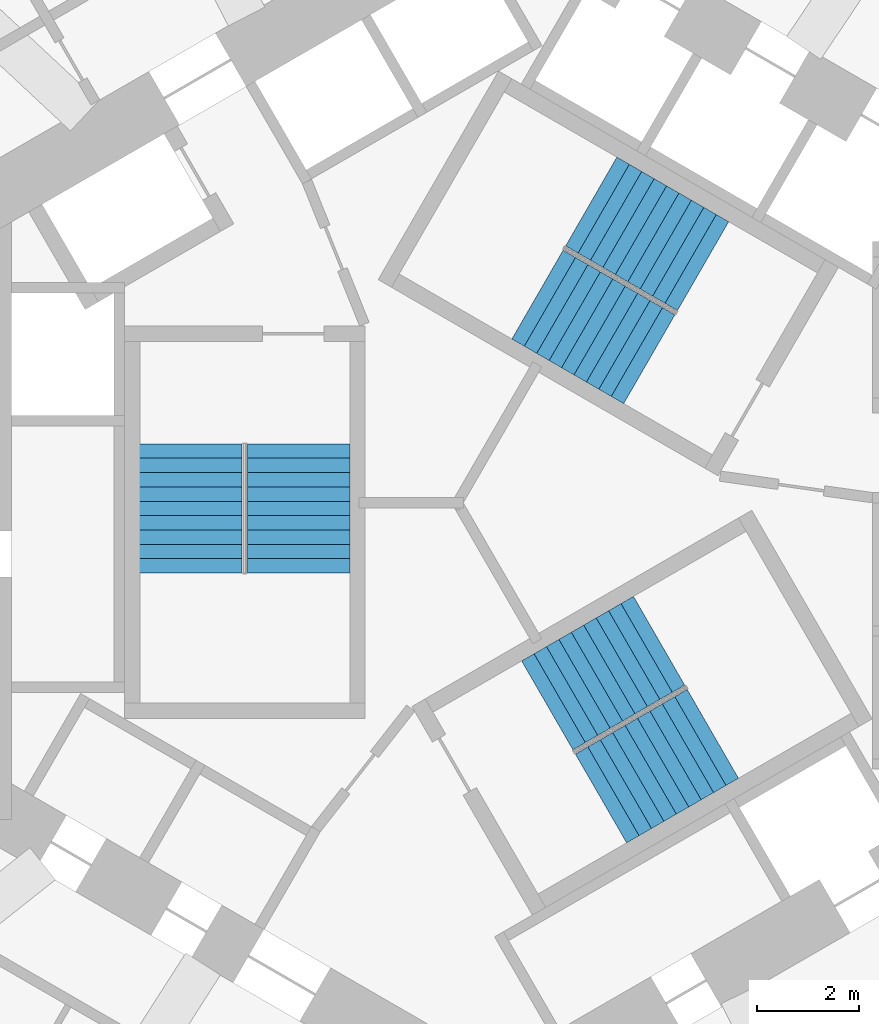
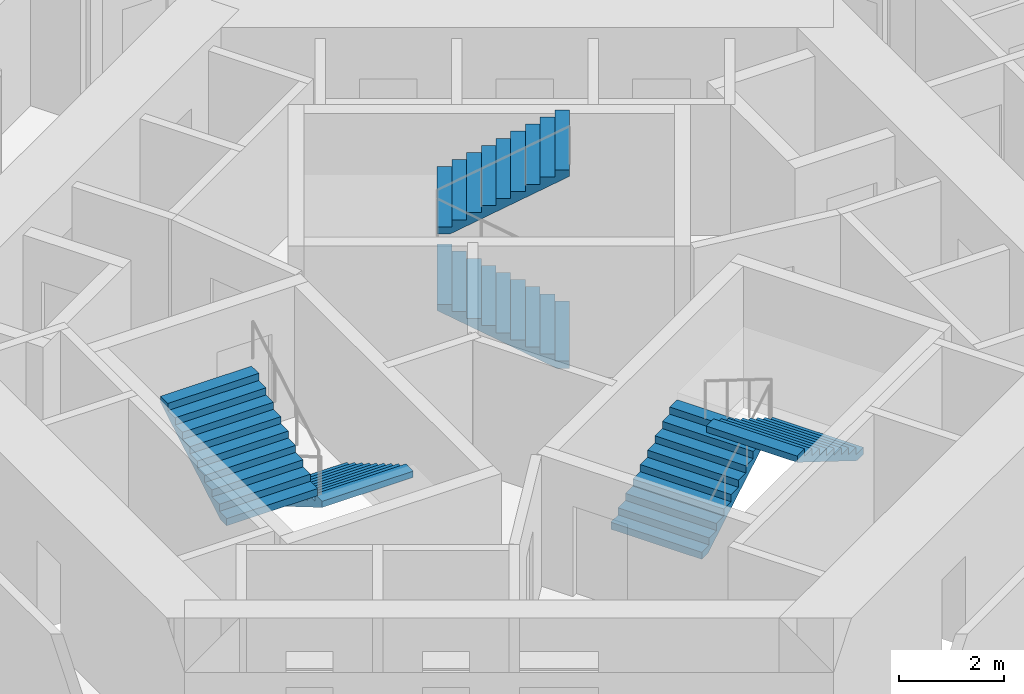
# One storey, part 10 of 12: 6 stair flights, 3 elements without a shape of their own.
"""IFC4 building model written with IfcOpenShell, lengths in metres."""

from ifc_helpers import new_model, si_unit, direction, frame, origin, place, context, subcontext, project, spatial, triangles, source, transform, mapped, material, type_object, element, aggregate, save


model = new_model("IFC4")

# Units and contexts
model_context = context("Model", 3, precision=1e-05, world=origin(), true_north=direction((0.0, 1.0)))
body_context = subcontext(model_context, "Body", "Model", "MODEL_VIEW")
ifc_project = project(units=[si_unit("LENGTHUNIT", "METRE"), si_unit("AREAUNIT", "SQUARE_METRE"), si_unit("VOLUMEUNIT", "CUBIC_METRE"), si_unit("PLANEANGLEUNIT", "RADIAN"), si_unit("MASSUNIT", "GRAM", prefix="KILO")], contexts=[model_context])

# Site, building, storey
site_placement = place(None, origin())
site = spatial("IfcSite", under=ifc_project, at=site_placement, CompositionType="ELEMENT")
building_placement = place(site_placement, origin())
building = spatial("IfcBuilding", under=site, at=building_placement, Name="Vanh Sen Convention Tower", CompositionType="ELEMENT")
storey_placement = place(building_placement, frame((0.0, 0.0, 106.699951171875)))
storey = spatial("IfcBuildingStorey", under=building, at=storey_placement, Name="L25", CompositionType="ELEMENT", Elevation=106.699951171875)

# Stair, stair flights
ifc_material_1 = material(Name="Concrete C50/60", Category="concrete")
stair_type_1 = type_object("IfcStairType", Name="Exit stair ST1 20 risers at 165.0", PredefinedType="HALF_TURN_STAIR", material=ifc_material_1)
stair_1_placement = place(storey_placement, origin())
stair_1 = element("IfcStair", 1, at=stair_1_placement, inside=storey, type_object=stair_type_1, Name="Exit stair ST1 L25", PredefinedType="HALF_TURN_STAIR")
ifc_material_2 = material(Name="Concrete C40/50", Category="concrete")
stair_flight_type = type_object("IfcStairFlightType", Name="Stair flight 2000", PredefinedType="STRAIGHT", material=ifc_material_2)
shared_shape = source(origin(), body_context, "Body", "Tessellation", [
    triangles([(0.24609375, 1.0, 0.0), (0.0, 1.0, 0.0), (0.0, 1.0, 0.1650390625), (0.280029296875, 1.0, 0.1650390625), (0.280029296875, 1.0, 0.330078125), (0.56005859375, 1.0, 0.330078125), (0.56005859375, 1.0, 0.4951171875), (0.840087890625, 1.0, 0.4951171875), (0.840087890625, 1.0, 0.659912109375), (1.1201171875, 1.0, 0.659912109375), (1.1201171875, 1.0, 0.824951171875), (1.39990234375, 1.0, 0.824951171875), (1.39990234375, 1.0, 0.989990234375), (1.679931640625, 1.0, 0.989990234375), (1.679931640625, 1.0, 1.155029296875), (1.9599609375, 1.0, 1.155029296875), (1.9599609375, 1.0, 1.320068359375), (2.239990234375, 1.0, 1.320068359375), (2.239990234375, 1.0, 1.485107421875), (2.52001953125, 1.0, 1.485107421875), (2.52001953125, 1.0, 1.33984375), (0.24609375, -1.0, 0.0), (0.0, -1.0, 0.0), (0.0, -1.0, 0.1650390625), (0.280029296875, -1.0, 0.1650390625), (0.280029296875, -1.0, 0.330078125), (0.56005859375, -1.0, 0.330078125), (0.56005859375, -1.0, 0.4951171875), (0.840087890625, -1.0, 0.4951171875), (0.840087890625, -1.0, 0.659912109375), (1.1201171875, -1.0, 0.659912109375), (1.1201171875, -1.0, 0.824951171875), (1.39990234375, -1.0, 0.824951171875), (1.39990234375, -1.0, 0.989990234375), (1.679931640625, -1.0, 0.989990234375), (1.679931640625, -1.0, 1.155029296875), (1.9599609375, -1.0, 1.155029296875), (1.9599609375, -1.0, 1.320068359375), (2.239990234375, -1.0, 1.320068359375), (2.239990234375, -1.0, 1.485107421875), (2.52001953125, -1.0, 1.485107421875), (2.52001953125, -1.0, 1.33984375), (0.0, 0.0400390625, 0.0), (0.0, 0.0390625, 0.0), (0.0, 0.0380859375, 0.0), (0.0, 0.037109375, 0.0), (0.0, 0.035888671875, 0.0), (0.0, 0.034912109375, 0.0), (0.0, 0.033935546875, 0.0), (0.0, 0.032958984375, 0.0), (0.0, 0.031982421875, 0.0), (0.0, 0.031005859375, 0.0), (0.0, 0.030029296875, 0.0), (0.0, 0.029052734375, 0.0), (0.0, 0.028076171875, 0.0), (0.0, 0.027099609375, 0.0), (0.0, 0.02587890625, 0.0), (0.0, 0.02490234375, 0.0), (0.0, 0.02392578125, 0.0), (0.0, 0.02294921875, 0.0), (0.0, 0.02197265625, 0.0), (0.0, 0.02099609375, 0.0), (0.0, 0.02001953125, 0.0), (0.0, 0.01904296875, 0.0), (0.0, 0.01806640625, 0.0), (0.0, 0.01708984375, 0.0), (0.0, 0.01611328125, 0.0), (0.0, 0.014892578125, 0.0), (0.0, 0.013916015625, 0.0), (0.0, 0.012939453125, 0.0), (0.0, 0.011962890625, 0.0), (0.0, 0.010986328125, 0.0), (0.0, 0.010009765625, 0.0), (0.0, 0.009033203125, 0.0), (0.0, 0.008056640625, 0.0), (0.0, 0.007080078125, 0.0), (0.0, 0.006103515625, 0.0), (0.0, 0.0048828125, 0.0), (0.0, 0.00390625, 0.0), (0.0, 0.0029296875, 0.0), (0.0, 0.001953125, 0.0), (0.0, 0.0009765625, 0.0), (0.0, 0.0, 0.0), (0.0, -0.0009765625, 0.0), (0.0, -0.001953125, 0.0), (0.0, -0.0029296875, 0.0), (0.0, -0.00390625, 0.0), (0.0, -0.0048828125, 0.0), (0.0, -0.006103515625, 0.0), (0.0, -0.007080078125, 0.0), (0.0, -0.008056640625, 0.0), (0.0, -0.009033203125, 0.0), (0.0, -0.010009765625, 0.0), (0.0, -0.010986328125, 0.0), (0.0, -0.011962890625, 0.0), (0.0, -0.012939453125, 0.0), (0.0, -0.013916015625, 0.0), (0.0, -0.014892578125, 0.0), (0.0, -0.01611328125, 0.0), (0.0, -0.01708984375, 0.0), (0.0, -0.01806640625, 0.0), (0.0, -0.01904296875, 0.0), (0.0, -0.02001953125, 0.0), (0.0, -0.02099609375, 0.0), (0.0, -0.02197265625, 0.0), (0.0, -0.02294921875, 0.0), (0.0, -0.02392578125, 0.0), (0.0, -0.02490234375, 0.0), (0.0, -0.02587890625, 0.0), (0.0, -0.027099609375, 0.0), (0.0, -0.028076171875, 0.0), (0.0, -0.029052734375, 0.0), (0.0, -0.030029296875, 0.0), (0.0, -0.031005859375, 0.0), (0.0, -0.031982421875, 0.0), (0.0, -0.032958984375, 0.0), (0.0, -0.033935546875, 0.0), (0.0, -0.034912109375, 0.0), (0.0, -0.035888671875, 0.0), (0.0, -0.037109375, 0.0), (0.0, -0.0380859375, 0.0), (0.0, -0.0390625, 0.0), (0.0, -0.0400390625, 0.0), (0.0, 0.0400390625, 0.1650390625), (0.0, 0.0390625, 0.1650390625), (0.0, 0.0380859375, 0.1650390625), (0.0, 0.037109375, 0.1650390625), (0.0, 0.035888671875, 0.1650390625), (0.0, 0.034912109375, 0.1650390625), (0.0, 0.033935546875, 0.1650390625), (0.0, 0.032958984375, 0.1650390625), (0.0, 0.031982421875, 0.1650390625), (0.0, 0.031005859375, 0.1650390625), (0.0, 0.030029296875, 0.1650390625), (0.0, 0.029052734375, 0.1650390625), (0.0, 0.028076171875, 0.1650390625), (0.0, 0.027099609375, 0.1650390625), (0.0, 0.02587890625, 0.1650390625), (0.0, 0.02490234375, 0.1650390625), (0.0, 0.02392578125, 0.1650390625), (0.0, 0.02294921875, 0.1650390625), (0.0, 0.02197265625, 0.1650390625), (0.0, 0.02099609375, 0.1650390625), (0.0, 0.02001953125, 0.1650390625), (0.0, 0.01904296875, 0.1650390625), (0.0, 0.01806640625, 0.1650390625), (0.0, 0.01708984375, 0.1650390625), (0.0, 0.01611328125, 0.1650390625), (0.0, 0.014892578125, 0.1650390625), (0.0, 0.013916015625, 0.1650390625), (0.0, 0.012939453125, 0.1650390625), (0.0, 0.011962890625, 0.1650390625), (0.0, 0.010986328125, 0.1650390625), (0.0, 0.010009765625, 0.1650390625), (0.0, 0.009033203125, 0.1650390625), (0.0, 0.008056640625, 0.1650390625), (0.0, 0.007080078125, 0.1650390625), (0.0, 0.006103515625, 0.1650390625), (0.0, 0.0048828125, 0.1650390625), (0.0, 0.00390625, 0.1650390625), (0.0, 0.0029296875, 0.1650390625), (0.0, 0.001953125, 0.1650390625), (0.0, 0.0009765625, 0.1650390625), (0.0, 0.0, 0.1650390625), (0.0, -0.0009765625, 0.1650390625), (0.0, -0.001953125, 0.1650390625), (0.0, -0.0029296875, 0.1650390625), (0.0, -0.00390625, 0.1650390625), (0.0, -0.0048828125, 0.1650390625), (0.0, -0.006103515625, 0.1650390625), (0.0, -0.007080078125, 0.1650390625), (0.0, -0.008056640625, 0.1650390625), (0.0, -0.009033203125, 0.1650390625), (0.0, -0.010009765625, 0.1650390625), (0.0, -0.010986328125, 0.1650390625), (0.0, -0.011962890625, 0.1650390625), (0.0, -0.012939453125, 0.1650390625), (0.0, -0.013916015625, 0.1650390625), (0.0, -0.014892578125, 0.1650390625), (0.0, -0.01611328125, 0.1650390625), (0.0, -0.01708984375, 0.1650390625), (0.0, -0.01806640625, 0.1650390625), (0.0, -0.01904296875, 0.1650390625), (0.0, -0.02001953125, 0.1650390625), (0.0, -0.02099609375, 0.1650390625), (0.0, -0.02197265625, 0.1650390625), (0.0, -0.02294921875, 0.1650390625), (0.0, -0.02392578125, 0.1650390625), (0.0, -0.02490234375, 0.1650390625), (0.0, -0.02587890625, 0.1650390625), (0.0, -0.027099609375, 0.1650390625), (0.0, -0.028076171875, 0.1650390625), (0.0, -0.029052734375, 0.1650390625), (0.0, -0.030029296875, 0.1650390625), (0.0, -0.031005859375, 0.1650390625), (0.0, -0.031982421875, 0.1650390625), (0.0, -0.032958984375, 0.1650390625), (0.0, -0.033935546875, 0.1650390625), (0.0, -0.034912109375, 0.1650390625), (0.0, -0.035888671875, 0.1650390625), (0.0, -0.037109375, 0.1650390625), (0.0, -0.0380859375, 0.1650390625), (0.0, -0.0390625, 0.1650390625), (0.0, -0.0400390625, 0.1650390625), (0.280029296875, 0.0, 0.1650390625), (0.280029296875, 0.0, 0.330078125), (0.56005859375, 0.0, 0.330078125), (0.56005859375, 0.0, 0.4951171875), (0.840087890625, 0.0, 0.4951171875), (0.840087890625, 0.0, 0.659912109375), (1.1201171875, 0.0, 0.659912109375), (1.1201171875, 0.0, 0.824951171875), (1.39990234375, 0.0, 0.824951171875), (1.39990234375, 0.0, 0.989990234375), (1.679931640625, 0.0, 0.989990234375), (1.679931640625, 0.0, 1.155029296875), (1.9599609375, 0.0, 1.155029296875), (1.9599609375, 0.0, 1.320068359375), (2.239990234375, 0.0, 1.320068359375), (2.239990234375, 0.0, 1.485107421875), (2.52001953125, 0.0400390625, 1.485107421875), (2.52001953125, 0.0390625, 1.485107421875), (2.52001953125, 0.0380859375, 1.485107421875), (2.52001953125, 0.037109375, 1.485107421875), (2.52001953125, 0.035888671875, 1.485107421875), (2.52001953125, 0.034912109375, 1.485107421875), (2.52001953125, 0.033935546875, 1.485107421875), (2.52001953125, 0.032958984375, 1.485107421875), (2.52001953125, 0.031982421875, 1.485107421875), (2.52001953125, 0.031005859375, 1.485107421875), (2.52001953125, 0.030029296875, 1.485107421875), (2.52001953125, 0.029052734375, 1.485107421875), (2.52001953125, 0.028076171875, 1.485107421875), (2.52001953125, 0.027099609375, 1.485107421875), (2.52001953125, 0.02587890625, 1.485107421875), (2.52001953125, 0.02490234375, 1.485107421875), (2.52001953125, 0.02392578125, 1.485107421875), (2.52001953125, 0.02294921875, 1.485107421875), (2.52001953125, 0.02197265625, 1.485107421875), (2.52001953125, 0.02099609375, 1.485107421875), (2.52001953125, 0.02001953125, 1.485107421875), (2.52001953125, 0.01904296875, 1.485107421875), (2.52001953125, 0.01806640625, 1.485107421875), (2.52001953125, 0.01708984375, 1.485107421875), (2.52001953125, 0.01611328125, 1.485107421875), (2.52001953125, 0.014892578125, 1.485107421875), (2.52001953125, 0.013916015625, 1.485107421875), (2.52001953125, 0.012939453125, 1.485107421875), (2.52001953125, 0.011962890625, 1.485107421875), (2.52001953125, 0.010986328125, 1.485107421875), (2.52001953125, 0.010009765625, 1.485107421875), (2.52001953125, 0.009033203125, 1.485107421875), (2.52001953125, 0.008056640625, 1.485107421875), (2.52001953125, 0.007080078125, 1.485107421875), (2.52001953125, 0.006103515625, 1.485107421875), (2.52001953125, 0.0048828125, 1.485107421875), (2.52001953125, 0.00390625, 1.485107421875), (2.52001953125, 0.0029296875, 1.485107421875), (2.52001953125, 0.001953125, 1.485107421875), (2.52001953125, 0.0009765625, 1.485107421875), (2.52001953125, 0.0, 1.485107421875), (2.52001953125, -0.0009765625, 1.485107421875), (2.52001953125, -0.001953125, 1.485107421875), (2.52001953125, -0.0029296875, 1.485107421875), (2.52001953125, -0.00390625, 1.485107421875), (2.52001953125, -0.0048828125, 1.485107421875), (2.52001953125, -0.006103515625, 1.485107421875), (2.52001953125, -0.007080078125, 1.485107421875), (2.52001953125, -0.008056640625, 1.485107421875), (2.52001953125, -0.009033203125, 1.485107421875), (2.52001953125, -0.010009765625, 1.485107421875), (2.52001953125, -0.010986328125, 1.485107421875), (2.52001953125, -0.011962890625, 1.485107421875), (2.52001953125, -0.012939453125, 1.485107421875), (2.52001953125, -0.013916015625, 1.485107421875), (2.52001953125, -0.014892578125, 1.485107421875), (2.52001953125, -0.01611328125, 1.485107421875), (2.52001953125, -0.01708984375, 1.485107421875), (2.52001953125, -0.01806640625, 1.485107421875), (2.52001953125, -0.01904296875, 1.485107421875), (2.52001953125, -0.02001953125, 1.485107421875), (2.52001953125, -0.02099609375, 1.485107421875), (2.52001953125, -0.02197265625, 1.485107421875), (2.52001953125, -0.02294921875, 1.485107421875), (2.52001953125, -0.02392578125, 1.485107421875), (2.52001953125, -0.02490234375, 1.485107421875), (2.52001953125, -0.02587890625, 1.485107421875), (2.52001953125, -0.027099609375, 1.485107421875), (2.52001953125, -0.028076171875, 1.485107421875), (2.52001953125, -0.029052734375, 1.485107421875), (2.52001953125, -0.030029296875, 1.485107421875), (2.52001953125, -0.031005859375, 1.485107421875), (2.52001953125, -0.031982421875, 1.485107421875), (2.52001953125, -0.032958984375, 1.485107421875), (2.52001953125, -0.033935546875, 1.485107421875), (2.52001953125, -0.034912109375, 1.485107421875), (2.52001953125, -0.035888671875, 1.485107421875), (2.52001953125, -0.037109375, 1.485107421875), (2.52001953125, -0.0380859375, 1.485107421875), (2.52001953125, -0.0390625, 1.485107421875), (2.52001953125, -0.0400390625, 1.485107421875), (2.52001953125, 0.0400390625, 1.33984375), (2.52001953125, 0.0390625, 1.33984375), (2.52001953125, 0.0380859375, 1.33984375), (2.52001953125, 0.037109375, 1.33984375), (2.52001953125, 0.035888671875, 1.33984375), (2.52001953125, 0.034912109375, 1.33984375), (2.52001953125, 0.033935546875, 1.33984375), (2.52001953125, 0.032958984375, 1.33984375), (2.52001953125, 0.031982421875, 1.33984375), (2.52001953125, 0.031005859375, 1.33984375), (2.52001953125, 0.030029296875, 1.33984375), (2.52001953125, 0.029052734375, 1.33984375), (2.52001953125, 0.028076171875, 1.33984375), (2.52001953125, 0.027099609375, 1.33984375), (2.52001953125, 0.02587890625, 1.33984375), (2.52001953125, 0.02490234375, 1.33984375), (2.52001953125, 0.02392578125, 1.33984375), (2.52001953125, 0.02294921875, 1.33984375), (2.52001953125, 0.02197265625, 1.33984375), (2.52001953125, 0.02099609375, 1.33984375), (2.52001953125, 0.02001953125, 1.33984375), (2.52001953125, 0.01904296875, 1.33984375), (2.52001953125, 0.01806640625, 1.33984375), (2.52001953125, 0.01708984375, 1.33984375), (2.52001953125, 0.01611328125, 1.33984375), (2.52001953125, 0.014892578125, 1.33984375), (2.52001953125, 0.013916015625, 1.33984375), (2.52001953125, 0.012939453125, 1.33984375), (2.52001953125, 0.011962890625, 1.33984375), (2.52001953125, 0.010986328125, 1.33984375), (2.52001953125, 0.010009765625, 1.33984375), (2.52001953125, 0.009033203125, 1.33984375), (2.52001953125, 0.008056640625, 1.33984375), (2.52001953125, 0.007080078125, 1.33984375), (2.52001953125, 0.006103515625, 1.33984375), (2.52001953125, 0.0048828125, 1.33984375), (2.52001953125, 0.00390625, 1.33984375), (2.52001953125, 0.0029296875, 1.33984375), (2.52001953125, 0.001953125, 1.33984375), (2.52001953125, 0.0009765625, 1.33984375), (2.52001953125, 0.0, 1.33984375), (2.52001953125, -0.0009765625, 1.33984375), (2.52001953125, -0.001953125, 1.33984375), (2.52001953125, -0.0029296875, 1.33984375), (2.52001953125, -0.00390625, 1.33984375), (2.52001953125, -0.0048828125, 1.33984375), (2.52001953125, -0.006103515625, 1.33984375), (2.52001953125, -0.007080078125, 1.33984375), (2.52001953125, -0.008056640625, 1.33984375), (2.52001953125, -0.009033203125, 1.33984375), (2.52001953125, -0.010009765625, 1.33984375), (2.52001953125, -0.010986328125, 1.33984375), (2.52001953125, -0.011962890625, 1.33984375), (2.52001953125, -0.012939453125, 1.33984375), (2.52001953125, -0.013916015625, 1.33984375), (2.52001953125, -0.014892578125, 1.33984375), (2.52001953125, -0.01611328125, 1.33984375), (2.52001953125, -0.01708984375, 1.33984375), (2.52001953125, -0.01806640625, 1.33984375), (2.52001953125, -0.01904296875, 1.33984375), (2.52001953125, -0.02001953125, 1.33984375), (2.52001953125, -0.02099609375, 1.33984375), (2.52001953125, -0.02197265625, 1.33984375), (2.52001953125, -0.02294921875, 1.33984375), (2.52001953125, -0.02392578125, 1.33984375), (2.52001953125, -0.02490234375, 1.33984375), (2.52001953125, -0.02587890625, 1.33984375), (2.52001953125, -0.027099609375, 1.33984375), (2.52001953125, -0.028076171875, 1.33984375), (2.52001953125, -0.029052734375, 1.33984375), (2.52001953125, -0.030029296875, 1.33984375), (2.52001953125, -0.031005859375, 1.33984375), (2.52001953125, -0.031982421875, 1.33984375), (2.52001953125, -0.032958984375, 1.33984375), (2.52001953125, -0.033935546875, 1.33984375), (2.52001953125, -0.034912109375, 1.33984375), (2.52001953125, -0.035888671875, 1.33984375), (2.52001953125, -0.037109375, 1.33984375), (2.52001953125, -0.0380859375, 1.33984375), (2.52001953125, -0.0390625, 1.33984375), (2.52001953125, -0.0400390625, 1.33984375), (0.24609375, 0.0, 0.0)], [[1, 2, 3], [1, 3, 4], [4, 5, 6], [1, 4, 6], [6, 7, 8], [1, 6, 8], [8, 9, 10], [1, 8, 10], [10, 11, 12], [1, 10, 12], [12, 13, 14], [1, 12, 14], [14, 15, 16], [1, 14, 16], [16, 17, 18], [1, 16, 18], [18, 19, 20], [1, 18, 20], [20, 21, 1], [22, 24, 23], [22, 25, 24], [25, 27, 26], [22, 27, 25], [27, 29, 28], [22, 29, 27], [29, 31, 30], [22, 31, 29], [31, 33, 32], [22, 33, 31], [33, 35, 34], [22, 35, 33], [35, 37, 36], [22, 37, 35], [37, 39, 38], [22, 39, 37], [39, 41, 40], [22, 41, 39], [41, 22, 42], [2, 124, 3], [2, 43, 124], [43, 125, 124], [43, 44, 125], [44, 126, 125], [44, 45, 126], [45, 127, 126], [45, 46, 127], [46, 128, 127], [46, 47, 128], [47, 129, 128], [47, 48, 129], [48, 130, 129], [48, 49, 130], [49, 131, 130], [49, 50, 131], [50, 132, 131], [50, 51, 132], [51, 133, 132], [51, 52, 133], [52, 134, 133], [52, 53, 134], [53, 135, 134], [53, 54, 135], [54, 136, 135], [54, 55, 136], [55, 137, 136], [55, 56, 137], [56, 138, 137], [56, 57, 138], [57, 139, 138], [57, 58, 139], [58, 140, 139], [58, 59, 140], [59, 141, 140], [59, 60, 141], [60, 142, 141], [60, 61, 142], [61, 143, 142], [61, 62, 143], [62, 144, 143], [62, 63, 144], [63, 145, 144], [63, 64, 145], [64, 146, 145], [64, 65, 146], [65, 147, 146], [65, 66, 147], [66, 148, 147], [66, 67, 148], [67, 149, 148], [67, 68, 149], [68, 150, 149], [68, 69, 150], [69, 151, 150], [69, 70, 151], [70, 152, 151], [70, 71, 152], [71, 153, 152], [71, 72, 153], [72, 154, 153], [72, 73, 154], [73, 155, 154], [73, 74, 155], [74, 156, 155], [74, 75, 156], [75, 157, 156], [75, 76, 157], [76, 158, 157], [76, 77, 158], [77, 159, 158], [77, 78, 159], [78, 160, 159], [78, 79, 160], [79, 161, 160], [79, 80, 161], [80, 162, 161], [80, 81, 162], [81, 163, 162], [81, 82, 163], [82, 164, 163], [82, 83, 164], [83, 84, 164], [164, 84, 165], [84, 85, 165], [165, 85, 166], [85, 86, 166], [166, 86, 167], [86, 87, 167], [167, 87, 168], [87, 88, 168], [168, 88, 169], [88, 89, 169], [169, 89, 170], [89, 90, 170], [170, 90, 171], [90, 91, 171], [171, 91, 172], [91, 92, 172], [172, 92, 173], [92, 93, 173], [173, 93, 174], [93, 94, 174], [174, 94, 175], [94, 95, 175], [175, 95, 176], [95, 96, 176], [176, 96, 177], [96, 97, 177], [177, 97, 178], [97, 98, 178], [178, 98, 179], [98, 99, 179], [179, 99, 180], [99, 100, 180], [180, 100, 181], [100, 101, 181], [181, 101, 182], [101, 102, 182], [182, 102, 183], [102, 103, 183], [183, 103, 184], [103, 104, 184], [184, 104, 185], [104, 105, 185], [185, 105, 186], [105, 106, 186], [186, 106, 187], [106, 107, 187], [187, 107, 188], [107, 108, 188], [188, 108, 189], [108, 109, 189], [189, 109, 190], [109, 110, 190], [190, 110, 191], [110, 111, 191], [191, 111, 192], [111, 112, 192], [192, 112, 193], [112, 113, 193], [193, 113, 194], [113, 114, 194], [194, 114, 195], [114, 115, 195], [195, 115, 196], [115, 116, 196], [196, 116, 197], [116, 117, 197], [197, 117, 198], [117, 118, 198], [198, 118, 199], [118, 119, 199], [199, 119, 200], [119, 120, 200], [200, 120, 201], [120, 121, 201], [201, 121, 202], [121, 122, 202], [202, 122, 203], [122, 123, 203], [203, 123, 204], [123, 23, 204], [204, 23, 24], [4, 3, 124], [4, 124, 125], [4, 125, 126], [4, 126, 127], [4, 127, 128], [4, 128, 129], [4, 129, 130], [4, 130, 131], [4, 131, 132], [4, 132, 133], [4, 133, 134], [4, 134, 135], [4, 135, 136], [4, 136, 137], [4, 137, 138], [4, 138, 139], [4, 139, 140], [4, 140, 141], [4, 141, 142], [4, 142, 143], [4, 143, 144], [4, 144, 145], [4, 145, 146], [4, 146, 147], [4, 147, 148], [4, 148, 149], [4, 149, 150], [4, 150, 151], [4, 151, 152], [4, 152, 153], [4, 153, 154], [4, 154, 155], [4, 155, 156], [4, 156, 157], [4, 157, 158], [4, 158, 159], [4, 159, 160], [4, 160, 161], [4, 161, 162], [4, 162, 163], [4, 163, 164], [25, 164, 165], [25, 165, 166], [25, 166, 167], [25, 167, 168], [25, 168, 169], [25, 169, 170], [25, 170, 171], [25, 171, 172], [25, 172, 173], [25, 173, 174], [25, 174, 175], [25, 175, 176], [25, 176, 177], [25, 177, 178], [25, 178, 179], [25, 179, 180], [25, 180, 181], [25, 181, 182], [25, 182, 183], [25, 183, 184], [25, 184, 185], [25, 185, 186], [25, 186, 187], [25, 187, 188], [25, 188, 189], [25, 189, 190], [25, 190, 191], [25, 191, 192], [25, 192, 193], [25, 193, 194], [25, 194, 195], [25, 195, 196], [25, 196, 197], [25, 197, 198], [25, 198, 199], [25, 199, 200], [25, 200, 201], [25, 201, 202], [25, 202, 203], [25, 203, 204], [25, 204, 24], [4, 164, 205], [25, 205, 164], [4, 206, 5], [4, 205, 206], [205, 25, 206], [206, 25, 26], [5, 207, 6], [5, 206, 207], [206, 26, 207], [207, 26, 27], [6, 208, 7], [6, 207, 208], [207, 27, 208], [208, 27, 28], [7, 209, 8], [7, 208, 209], [208, 28, 209], [209, 28, 29], [8, 210, 9], [8, 209, 210], [209, 29, 210], [210, 29, 30], [9, 211, 10], [9, 210, 211], [210, 30, 211], [211, 30, 31], [10, 212, 11], [10, 211, 212], [211, 31, 212], [212, 31, 32], [11, 213, 12], [11, 212, 213], [212, 32, 213], [213, 32, 33], [12, 214, 13], [12, 213, 214], [213, 33, 214], [214, 33, 34], [13, 215, 14], [13, 214, 215], [214, 34, 215], [215, 34, 35], [14, 216, 15], [14, 215, 216], [215, 35, 216], [216, 35, 36], [15, 217, 16], [15, 216, 217], [216, 36, 217], [217, 36, 37], [16, 218, 17], [16, 217, 218], [217, 37, 218], [218, 37, 38], [17, 219, 18], [17, 218, 219], [218, 38, 219], [219, 38, 39], [18, 220, 19], [18, 219, 220], [219, 39, 220], [220, 39, 40], [19, 221, 20], [19, 222, 221], [19, 223, 222], [19, 224, 223], [19, 225, 224], [19, 226, 225], [19, 227, 226], [19, 228, 227], [19, 229, 228], [19, 230, 229], [19, 231, 230], [19, 232, 231], [19, 233, 232], [19, 234, 233], [19, 235, 234], [19, 236, 235], [19, 237, 236], [19, 238, 237], [19, 239, 238], [19, 240, 239], [19, 241, 240], [19, 242, 241], [19, 243, 242], [19, 244, 243], [19, 245, 244], [19, 246, 245], [19, 247, 246], [19, 248, 247], [19, 249, 248], [19, 250, 249], [19, 251, 250], [19, 252, 251], [19, 253, 252], [19, 254, 253], [19, 255, 254], [19, 256, 255], [19, 257, 256], [19, 258, 257], [19, 259, 258], [19, 260, 259], [19, 261, 260], [40, 262, 261], [40, 263, 262], [40, 264, 263], [40, 265, 264], [40, 266, 265], [40, 267, 266], [40, 268, 267], [40, 269, 268], [40, 270, 269], [40, 271, 270], [40, 272, 271], [40, 273, 272], [40, 274, 273], [40, 275, 274], [40, 276, 275], [40, 277, 276], [40, 278, 277], [40, 279, 278], [40, 280, 279], [40, 281, 280], [40, 282, 281], [40, 283, 282], [40, 284, 283], [40, 285, 284], [40, 286, 285], [40, 287, 286], [40, 288, 287], [40, 289, 288], [40, 290, 289], [40, 291, 290], [40, 292, 291], [40, 293, 292], [40, 294, 293], [40, 295, 294], [40, 296, 295], [40, 297, 296], [40, 298, 297], [40, 299, 298], [40, 300, 299], [40, 301, 300], [40, 41, 301], [19, 220, 261], [40, 261, 220], [20, 302, 21], [20, 221, 302], [221, 303, 302], [221, 222, 303], [222, 304, 303], [222, 223, 304], [223, 305, 304], [223, 224, 305], [224, 306, 305], [224, 225, 306], [225, 307, 306], [225, 226, 307], [226, 308, 307], [226, 227, 308], [227, 309, 308], [227, 228, 309], [228, 310, 309], [228, 229, 310], [229, 311, 310], [229, 230, 311], [230, 312, 311], [230, 231, 312], [231, 313, 312], [231, 232, 313], [232, 314, 313], [232, 233, 314], [233, 315, 314], [233, 234, 315], [234, 316, 315], [234, 235, 316], [235, 317, 316], [235, 236, 317], [236, 318, 317], [236, 237, 318], [237, 319, 318], [237, 238, 319], [238, 320, 319], [238, 239, 320], [239, 321, 320], [239, 240, 321], [240, 322, 321], [240, 241, 322], [241, 323, 322], [241, 242, 323], [242, 324, 323], [242, 243, 324], [243, 325, 324], [243, 244, 325], [244, 326, 325], [244, 245, 326], [245, 327, 326], [245, 246, 327], [246, 328, 327], [246, 247, 328], [247, 329, 328], [247, 248, 329], [248, 330, 329], [248, 249, 330], [249, 331, 330], [249, 250, 331], [250, 332, 331], [250, 251, 332], [251, 333, 332], [251, 252, 333], [252, 334, 333], [252, 253, 334], [253, 335, 334], [253, 254, 335], [254, 336, 335], [254, 255, 336], [255, 337, 336], [255, 256, 337], [256, 338, 337], [256, 257, 338], [257, 339, 338], [257, 258, 339], [258, 340, 339], [258, 259, 340], [259, 341, 340], [259, 260, 341], [260, 342, 341], [260, 261, 342], [261, 262, 342], [342, 262, 343], [262, 263, 343], [343, 263, 344], [263, 264, 344], [344, 264, 345], [264, 265, 345], [345, 265, 346], [265, 266, 346], [346, 266, 347], [266, 267, 347], [347, 267, 348], [267, 268, 348], [348, 268, 349], [268, 269, 349], [349, 269, 350], [269, 270, 350], [350, 270, 351], [270, 271, 351], [351, 271, 352], [271, 272, 352], [352, 272, 353], [272, 273, 353], [353, 273, 354], [273, 274, 354], [354, 274, 355], [274, 275, 355], [355, 275, 356], [275, 276, 356], [356, 276, 357], [276, 277, 357], [357, 277, 358], [277, 278, 358], [358, 278, 359], [278, 279, 359], [359, 279, 360], [279, 280, 360], [360, 280, 361], [280, 281, 361], [361, 281, 362], [281, 282, 362], [362, 282, 363], [282, 283, 363], [363, 283, 364], [283, 284, 364], [364, 284, 365], [284, 285, 365], [365, 285, 366], [285, 286, 366], [366, 286, 367], [286, 287, 367], [367, 287, 368], [287, 288, 368], [368, 288, 369], [288, 289, 369], [369, 289, 370], [289, 290, 370], [370, 290, 371], [290, 291, 371], [371, 291, 372], [291, 292, 372], [372, 292, 373], [292, 293, 373], [373, 293, 374], [293, 294, 374], [374, 294, 375], [294, 295, 375], [375, 295, 376], [295, 296, 376], [376, 296, 377], [296, 297, 377], [377, 297, 378], [297, 298, 378], [378, 298, 379], [298, 299, 379], [379, 299, 380], [299, 300, 380], [380, 300, 381], [300, 301, 381], [381, 301, 382], [301, 41, 382], [382, 41, 42], [1, 21, 302], [1, 302, 303], [1, 303, 304], [1, 304, 305], [1, 305, 306], [1, 306, 307], [1, 307, 308], [1, 308, 309], [1, 309, 310], [1, 310, 311], [1, 311, 312], [1, 312, 313], [1, 313, 314], [1, 314, 315], [1, 315, 316], [1, 316, 317], [1, 317, 318], [1, 318, 319], [1, 319, 320], [1, 320, 321], [1, 321, 322], [1, 322, 323], [1, 323, 324], [1, 324, 325], [1, 325, 326], [1, 326, 327], [1, 327, 328], [1, 328, 329], [1, 329, 330], [1, 330, 331], [1, 331, 332], [1, 332, 333], [1, 333, 334], [1, 334, 335], [1, 335, 336], [1, 336, 337], [1, 337, 338], [1, 338, 339], [1, 339, 340], [1, 340, 341], [1, 341, 342], [22, 342, 343], [22, 343, 344], [22, 344, 345], [22, 345, 346], [22, 346, 347], [22, 347, 348], [22, 348, 349], [22, 349, 350], [22, 350, 351], [22, 351, 352], [22, 352, 353], [22, 353, 354], [22, 354, 355], [22, 355, 356], [22, 356, 357], [22, 357, 358], [22, 358, 359], [22, 359, 360], [22, 360, 361], [22, 361, 362], [22, 362, 363], [22, 363, 364], [22, 364, 365], [22, 365, 366], [22, 366, 367], [22, 367, 368], [22, 368, 369], [22, 369, 370], [22, 370, 371], [22, 371, 372], [22, 372, 373], [22, 373, 374], [22, 374, 375], [22, 375, 376], [22, 376, 377], [22, 377, 378], [22, 378, 379], [22, 379, 380], [22, 380, 381], [22, 381, 382], [22, 382, 42], [1, 342, 383], [22, 383, 342], [1, 43, 2], [1, 44, 43], [1, 45, 44], [1, 46, 45], [1, 47, 46], [1, 48, 47], [1, 49, 48], [1, 50, 49], [1, 51, 50], [1, 52, 51], [1, 53, 52], [1, 54, 53], [1, 55, 54], [1, 56, 55], [1, 57, 56], [1, 58, 57], [1, 59, 58], [1, 60, 59], [1, 61, 60], [1, 62, 61], [1, 63, 62], [1, 64, 63], [1, 65, 64], [1, 66, 65], [1, 67, 66], [1, 68, 67], [1, 69, 68], [1, 70, 69], [1, 71, 70], [1, 72, 71], [1, 73, 72], [1, 74, 73], [1, 75, 74], [1, 76, 75], [1, 77, 76], [1, 78, 77], [1, 79, 78], [1, 80, 79], [1, 81, 80], [1, 82, 81], [1, 83, 82], [22, 84, 83], [22, 85, 84], [22, 86, 85], [22, 87, 86], [22, 88, 87], [22, 89, 88], [22, 90, 89], [22, 91, 90], [22, 92, 91], [22, 93, 92], [22, 94, 93], [22, 95, 94], [22, 96, 95], [22, 97, 96], [22, 98, 97], [22, 99, 98], [22, 100, 99], [22, 101, 100], [22, 102, 101], [22, 103, 102], [22, 104, 103], [22, 105, 104], [22, 106, 105], [22, 107, 106], [22, 108, 107], [22, 109, 108], [22, 110, 109], [22, 111, 110], [22, 112, 111], [22, 113, 112], [22, 114, 113], [22, 115, 114], [22, 116, 115], [22, 117, 116], [22, 118, 117], [22, 119, 118], [22, 120, 119], [22, 121, 120], [22, 122, 121], [22, 123, 122], [22, 23, 123], [1, 383, 83], [22, 83, 383]], closed=True),
])
stair_flight_1_placement = place(storey_placement, frame((2.94580078125, 2.802490234375, 0.0), z_axis=(0.0, 0.0, 1.0), x_axis=(-0.866025403784, 0.5, 0.0)))
stair_flight_1 = element("IfcStairFlight", 2, at=stair_flight_1_placement, type_object=stair_flight_type, Name="ST1 flight 1", NumberOfRisers=10, NumberOfTreads=9, PredefinedType="STRAIGHT", RiserHeight=0.165, TreadLength=0.28, context=body_context, shape_type="MappedRepresentation", body=[
    mapped(shared_shape, transform((0.0, 0.0, 0.0))),
])
stair_flight_2_placement = place(storey_placement, frame((1.8134765625, 5.881103515625, 1.650146484375), z_axis=(0.0, 0.0, 1.0), x_axis=(0.866025403784, -0.5, 0.0)))
stair_flight_2 = element("IfcStairFlight", 3, at=stair_flight_2_placement, type_object=stair_flight_type, Name="ST1 flight 2", NumberOfRisers=10, NumberOfTreads=9, PredefinedType="STRAIGHT", RiserHeight=0.165, TreadLength=0.28, context=body_context, shape_type="MappedRepresentation", body=[
    mapped(shared_shape, transform((0.0, 0.0, 0.0))),
])
aggregate(stair_1, [stair_flight_1, stair_flight_2])

stair_type_2 = type_object("IfcStairType", Name="Exit stair ST2 20 risers at 165.0", PredefinedType="HALF_TURN_STAIR", material=ifc_material_1)
stair_2_placement = place(storey_placement, origin())
stair_2 = element("IfcStair", 4, at=stair_2_placement, inside=storey, type_object=stair_type_2, Name="Exit stair ST2 L25", PredefinedType="HALF_TURN_STAIR")
stair_flight_3_placement = place(storey_placement, frame((-3.89990234375, 1.14990234375, 0.0), z_axis=(0.0, 0.0, 1.0), x_axis=(0.0, -1.0, 0.0)))
stair_flight_3 = element("IfcStairFlight", 5, at=stair_flight_3_placement, type_object=stair_flight_type, Name="ST2 flight 1", NumberOfRisers=10, NumberOfTreads=9, PredefinedType="STRAIGHT", RiserHeight=0.165, TreadLength=0.28, context=body_context, shape_type="MappedRepresentation", body=[
    mapped(shared_shape, transform((0.0, 0.0, 0.0))),
])
stair_flight_4_placement = place(storey_placement, frame((-6.0, -1.3701171875, 1.650146484375), z_axis=(0.0, 0.0, 1.0), x_axis=(0.0, 1.0, 0.0)))
stair_flight_4 = element("IfcStairFlight", 6, at=stair_flight_4_placement, type_object=stair_flight_type, Name="ST2 flight 2", NumberOfRisers=10, NumberOfTreads=9, PredefinedType="STRAIGHT", RiserHeight=0.165, TreadLength=0.28, context=body_context, shape_type="MappedRepresentation", body=[
    mapped(shared_shape, transform((0.0, 0.0, 0.0))),
])
aggregate(stair_2, [stair_flight_3, stair_flight_4])

stair_type_3 = type_object("IfcStairType", Name="Exit stair ST3 20 risers at 165.0", PredefinedType="HALF_TURN_STAIR", material=ifc_material_1)
stair_3_placement = place(storey_placement, origin())
stair_3 = element("IfcStair", 7, at=stair_3_placement, inside=storey, type_object=stair_type_3, Name="Exit stair ST3 L25", PredefinedType="HALF_TURN_STAIR")
stair_flight_5_placement = place(storey_placement, frame((0.9541015625, -3.952392578125, 0.0), z_axis=(0.0, 0.0, 1.0), x_axis=(0.866025403784, 0.5, 0.0)))
stair_flight_5 = element("IfcStairFlight", 8, at=stair_flight_5_placement, type_object=stair_flight_type, Name="ST3 flight 1", NumberOfRisers=10, NumberOfTreads=9, PredefinedType="STRAIGHT", RiserHeight=0.165, TreadLength=0.28, context=body_context, shape_type="MappedRepresentation", body=[
    mapped(shared_shape, transform((0.0, 0.0, 0.0))),
])
stair_flight_6_placement = place(storey_placement, frame((4.1865234375, -4.51123046875, 1.650146484375), z_axis=(0.0, 0.0, 1.0), x_axis=(-0.866025403784, -0.5, 0.0)))
stair_flight_6 = element("IfcStairFlight", 9, at=stair_flight_6_placement, type_object=stair_flight_type, Name="ST3 flight 2", NumberOfRisers=10, NumberOfTreads=9, PredefinedType="STRAIGHT", RiserHeight=0.165, TreadLength=0.28, context=body_context, shape_type="MappedRepresentation", body=[
    mapped(shared_shape, transform((0.0, 0.0, 0.0))),
])
aggregate(stair_3, [stair_flight_5, stair_flight_6])

save(model, "model.ifc")
